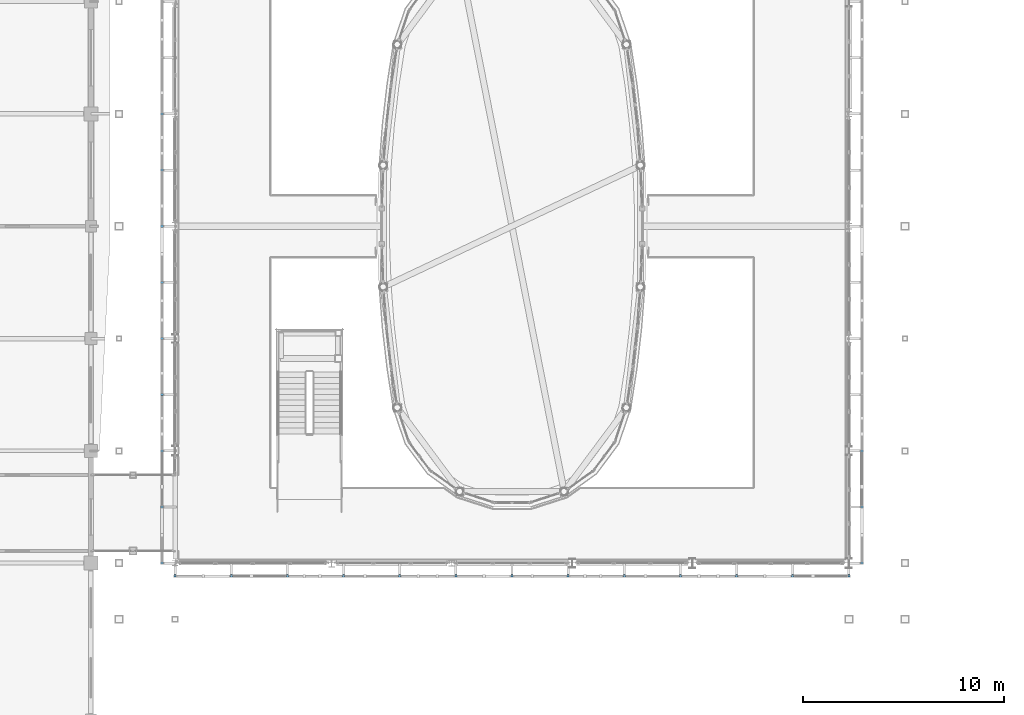
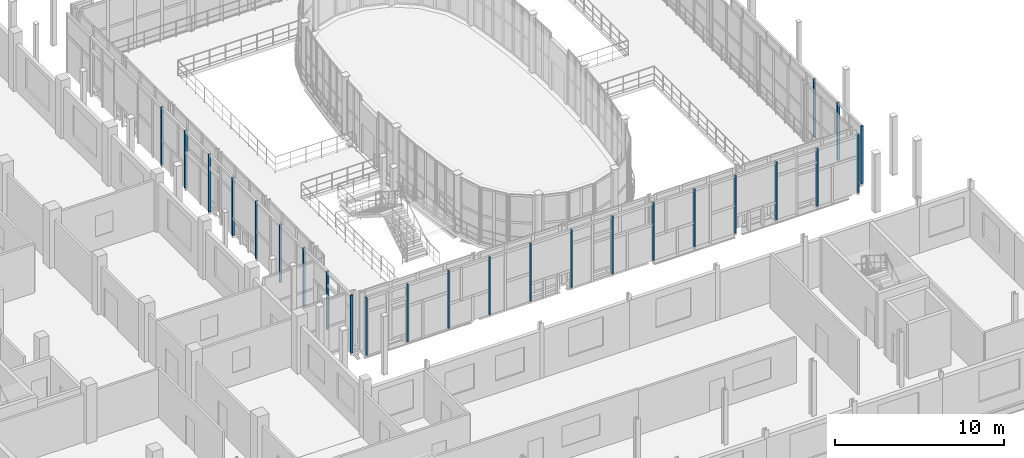
# One storey, part 106 of 121: 25 discrete accessories.
"""IFC4 building model written with IfcOpenShell, lengths in metres."""

from ifc_helpers import new_model, si_unit, direction, frame, origin, origin_2d, place, context, subcontext, project, spatial, rectangle, extrude, material, type_object, element, save


model = new_model("IFC4")

# Units and contexts
model_context = context("Model", 3, precision=1e-05, world=origin(), true_north=direction((0.0, 1.0)))
body_context = subcontext(model_context, "Body", "Model", "MODEL_VIEW")
ifc_project = project(units=[si_unit("LENGTHUNIT", "METRE"), si_unit("AREAUNIT", "SQUARE_METRE"), si_unit("VOLUMEUNIT", "CUBIC_METRE"), si_unit("PLANEANGLEUNIT", "RADIAN"), si_unit("MASSUNIT", "GRAM", prefix="KILO")], contexts=[model_context])

# Site, building, storey
site_placement = place(None, origin())
site = spatial("IfcSite", under=ifc_project, at=site_placement, CompositionType="ELEMENT")
building_placement = place(site_placement, origin())
building = spatial("IfcBuilding", under=site, at=building_placement, Name="Vinh Khe Railworks Police Headquarters", CompositionType="ELEMENT")
storey_placement = place(building_placement, frame((0.0, 0.0, 4.800048828125)))
storey = spatial("IfcBuildingStorey", under=building, at=storey_placement, Name="L01", CompositionType="ELEMENT", Elevation=4.800048828125)

# Discrete accessories
ifc_material = material(Name="Steel S355JR", Category="steel")
discrete_accessory_type = type_object("IfcDiscreteAccessoryType", Name="SCR-MULL-RHS150", PredefinedType="BRACKET", material=ifc_material)
for number, where, z_axis, x_axis, name in (
    (1, (26.39990234375, 24.550048828125, 0.0), (0.0, 0.0, 1.0), (1.0, 0.0, 0.0), "Patchwork Screen Vertical Support Channel S-1 L01"),
    (2, (29.199951171875, 24.550048828125, 0.0), (0.0, 0.0, 1.0), (1.0, 0.0, 0.0), "Patchwork Screen Vertical Support Channel S-2 L01"),
    (3, (32.0, 24.550048828125, 0.0), (0.0, 0.0, 1.0), (1.0, 0.0, 0.0), "Patchwork Screen Vertical Support Channel S-3 L01"),
    (4, (34.800048828125, 24.550048828125, 0.0), (0.0, 0.0, 1.0), (1.0, 0.0, 0.0), "Patchwork Screen Vertical Support Channel S-4 L01"),
    (5, (37.60009765625, 24.550048828125, 0.0), (0.0, 0.0, 1.0), (1.0, 0.0, 0.0), "Patchwork Screen Vertical Support Channel S-5 L01"),
    (6, (40.39990234375, 24.550048828125, 0.0), (0.0, 0.0, 1.0), (1.0, 0.0, 0.0), "Patchwork Screen Vertical Support Channel S-6 L01"),
    (7, (43.199951171875, 24.550048828125, 0.0), (0.0, 0.0, 1.0), (1.0, 0.0, 0.0), "Patchwork Screen Vertical Support Channel S-7 L01"),
    (8, (46.0, 24.550048828125, 0.0), (0.0, 0.0, 1.0), (1.0, 0.0, 0.0), "Patchwork Screen Vertical Support Channel S-8 L01"),
    (9, (48.800048828125, 24.550048828125, 0.0), (0.0, 0.0, 1.0), (1.0, 0.0, 0.0), "Patchwork Screen Vertical Support Channel S-9 L01"),
    (10, (51.60009765625, 24.550048828125, 0.0), (0.0, 0.0, 1.0), (1.0, 0.0, 0.0), "Patchwork Screen Vertical Support Channel S-10 L01"),
    (11, (54.39990234375, 24.550048828125, 0.0), (0.0, 0.0, 1.0), (1.0, 0.0, 0.0), "Patchwork Screen Vertical Support Channel S-11 L01"),
    (12, (57.199951171875, 24.550048828125, 0.0), (0.0, 0.0, 1.0), (1.0, 0.0, 0.0), "Patchwork Screen Vertical Support Channel S-12 L01"),
    (13, (60.0, 24.550048828125, 0.0), (0.0, 0.0, 1.0), (1.0, 0.0, 0.0), "Patchwork Screen Vertical Support Channel S-13 L01"),
):
    element("IfcDiscreteAccessory", number, at=place(storey_placement, frame(where, z_axis=z_axis, x_axis=x_axis)), inside=storey, type_object=discrete_accessory_type, Name=name, PredefinedType="BRACKET", context=body_context, shape_type="SweptSolid", body=[
        extrude(rectangle(XDim=0.10009765625, YDim=0.14990234375, at=origin_2d()), origin(), (0.0, 0.0, 1.0), 4.199951171875),
    ])
for number, where, z_axis, x_axis, name in (
    (14, (60.64990234375, 25.199951171875, 0.0), (0.0, 0.0, 1.0), (1.0, 0.0, 0.0), "Patchwork Screen Vertical Support Channel E-1 L01"),
    (15, (60.64990234375, 28.0, 0.0), (0.0, 0.0, 1.0), (1.0, 0.0, 0.0), "Patchwork Screen Vertical Support Channel E-2 L01"),
    (16, (60.64990234375, 30.800048828125, 0.0), (0.0, 0.0, 1.0), (1.0, 0.0, 0.0), "Patchwork Screen Vertical Support Channel E-3 L01"),
    (17, (25.75, 25.199951171875, 0.0), (0.0, 0.0, 1.0), (1.0, 0.0, 0.0), "Patchwork Screen Vertical Support Channel W-1 L01"),
    (18, (25.75, 28.0, 0.0), (0.0, 0.0, 1.0), (1.0, 0.0, 0.0), "Patchwork Screen Vertical Support Channel W-2 L01"),
    (19, (25.75, 30.800048828125, 0.0), (0.0, 0.0, 1.0), (1.0, 0.0, 0.0), "Patchwork Screen Vertical Support Channel W-3 L01"),
    (20, (25.75, 33.60009765625, 0.0), (0.0, 0.0, 1.0), (1.0, 0.0, 0.0), "Patchwork Screen Vertical Support Channel W-4 L01"),
    (21, (25.75, 36.39990234375, 0.0), (0.0, 0.0, 1.0), (1.0, 0.0, 0.0), "Patchwork Screen Vertical Support Channel W-5 L01"),
    (22, (25.75, 39.199951171875, 0.0), (0.0, 0.0, 1.0), (1.0, 0.0, 0.0), "Patchwork Screen Vertical Support Channel W-6 L01"),
    (23, (25.75, 42.0, 0.0), (0.0, 0.0, 1.0), (1.0, 0.0, 0.0), "Patchwork Screen Vertical Support Channel W-7 L01"),
    (24, (25.75, 44.800048828125, 0.0), (0.0, 0.0, 1.0), (1.0, 0.0, 0.0), "Patchwork Screen Vertical Support Channel W-8 L01"),
    (25, (25.75, 47.60009765625, 0.0), (0.0, 0.0, 1.0), (1.0, 0.0, 0.0), "Patchwork Screen Vertical Support Channel W-9 L01"),
):
    element("IfcDiscreteAccessory", number, at=place(storey_placement, frame(where, z_axis=z_axis, x_axis=x_axis)), inside=storey, type_object=discrete_accessory_type, Name=name, PredefinedType="BRACKET", context=body_context, shape_type="SweptSolid", body=[
        extrude(rectangle(XDim=0.14990234375, YDim=0.10009765625, at=origin_2d()), origin(), (0.0, 0.0, 1.0), 4.199951171875),
    ])

save(model, "model.ifc")
